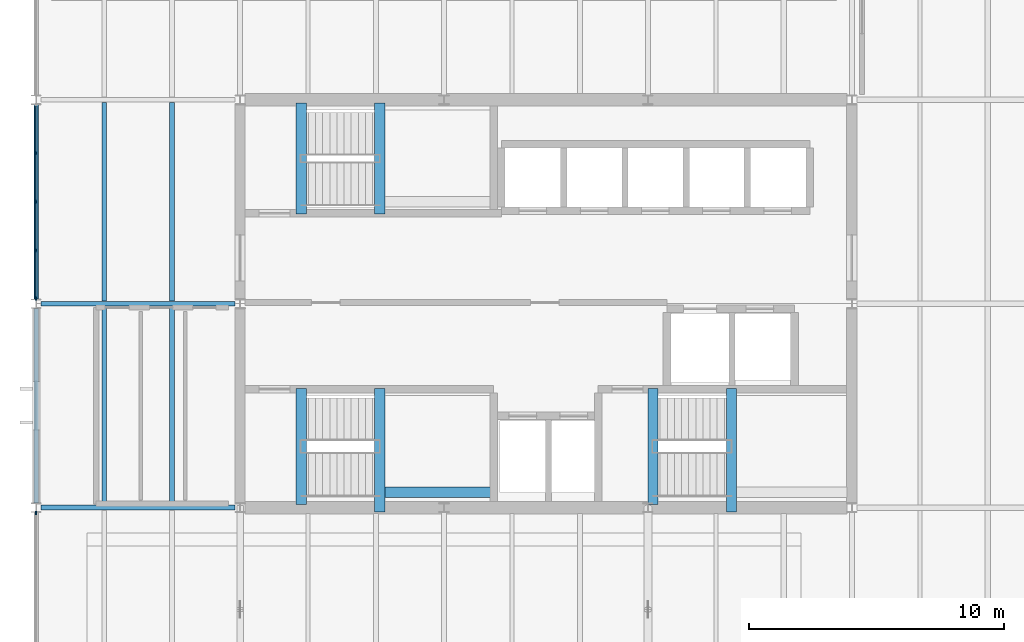
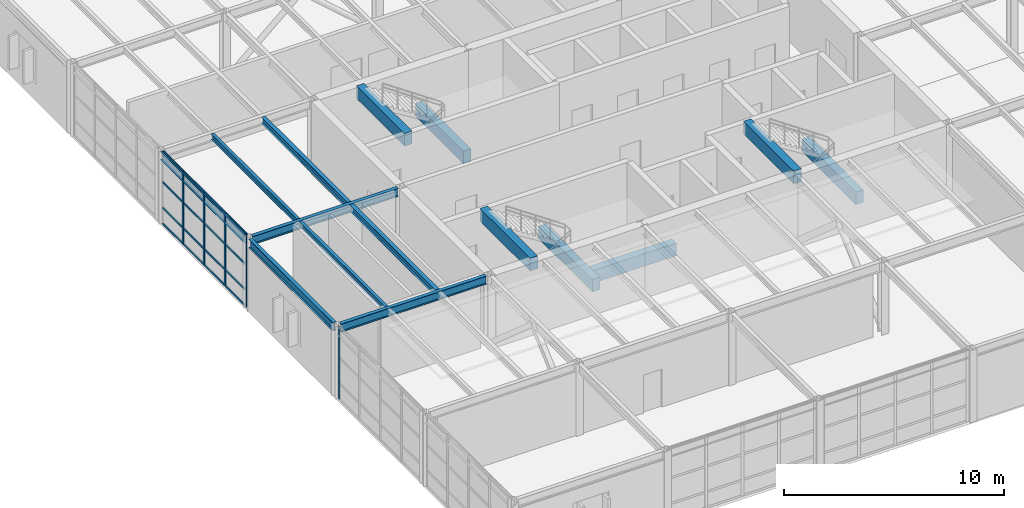
# One storey, part 11 of 50: 21 members, 15 beams, 2 elements without a shape of their own.
"""IFC4 building model written with IfcOpenShell, lengths in metres."""

from ifc_helpers import new_model, si_unit, direction, frame, origin, origin_2d, place, context, subcontext, project, spatial, rectangle, i_section, extrude, material, layer, layer_set, material_profile, profile_set, type_object, element, aggregate, save


model = new_model("IFC4")

# Units and contexts
model_context = context("Model", 3, precision=1e-05, world=origin(), true_north=direction((0.0, 1.0)))
body_context = subcontext(model_context, "Body", "Model", "MODEL_VIEW")
ifc_project = project(units=[si_unit("LENGTHUNIT", "METRE"), si_unit("AREAUNIT", "SQUARE_METRE"), si_unit("VOLUMEUNIT", "CUBIC_METRE"), si_unit("PLANEANGLEUNIT", "RADIAN"), si_unit("MASSUNIT", "GRAM", prefix="KILO")], contexts=[model_context])

# Site, building, storey
site_placement = place(None, origin())
site = spatial("IfcSite", under=ifc_project, at=site_placement, CompositionType="ELEMENT")
building_placement = place(site_placement, origin())
building = spatial("IfcBuilding", under=site, at=building_placement, Name="Varnela Railside Interchange", CompositionType="ELEMENT")
storey_placement = place(building_placement, frame((0.0, 0.0, 15.39990234375)))
storey = spatial("IfcBuildingStorey", under=building, at=storey_placement, Name="L03", CompositionType="ELEMENT", Elevation=15.39990234375)

# Beams
ifc_material_1 = material(Name="Steel AR 350 (350 MPa)", Category="steel")
ifc_material_profile_1 = material_profile(ifc_material_1, i_section(OverallWidth=0.1650390625, OverallDepth=0.31005859375, WebThickness=0.005859375, FlangeThickness=0.009765625, at=origin_2d()), Name="W310x38.7")
ifc_profile_set_1 = profile_set([ifc_material_profile_1], Name="Steel AR 350 (350 MPa)")
beam_type_1 = type_object("IfcBeamType", Name="Composite Floor Joist J-04", PredefinedType="JOIST", material=ifc_profile_set_1)
for number, where, z_axis, x_axis, name in (
    (1, (6.669921875, 54.1044921875, 3.84521484375), (0.0, 1.0, 0.0), (-1.0, 0.0, 0.0), "Composite Floor Joist J-04 (L03) (BM-2122)"),
    (2, (6.669921875, 62.1044921875, 3.84521484375), (0.0, 1.0, 0.0), (-1.0, 0.0, 0.0), "Composite Floor Joist J-04 (L03) (BM-2124)"),
):
    element("IfcBeam", number, at=place(storey_placement, frame(where, z_axis=z_axis, x_axis=x_axis)), inside=storey, type_object=beam_type_1, Name=name, PredefinedType="JOIST", context=body_context, shape_type="SweptSolid", body=[
        extrude(i_section(OverallWidth=0.1650390625, OverallDepth=0.31005859375, WebThickness=0.005859375, FlangeThickness=0.009765625, at=origin_2d()), origin(), (0.0, 0.0, 1.0), 7.791015625),
    ])
ifc_material_profile_2 = material_profile(ifc_material_1, i_section(OverallWidth=0.202880859375, OverallDepth=0.346923828125, WebThickness=0.0078125, FlangeThickness=0.013427734375, at=origin_2d()), Name="W360x64")
ifc_profile_set_2 = profile_set([ifc_material_profile_2], Name="Steel AR 350 (350 MPa)")
beam_type_2 = type_object("IfcBeamType", Name="Composite Heavy Joist J-01", PredefinedType="JOIST", material=ifc_profile_set_2)
for number, where, z_axis, x_axis, name in (
    (3, (9.330078125, 54.1044921875, 3.82666015625), (0.0, 1.0, 0.0), (-1.0, 0.0, 0.0), "Composite Heavy Joist J-01 (L03) (BM-2123)"),
    (4, (9.330078125, 62.1044921875, 3.82666015625), (0.0, 1.0, 0.0), (-1.0, 0.0, 0.0), "Composite Heavy Joist J-01 (L03) (BM-2125)"),
):
    element("IfcBeam", number, at=place(storey_placement, frame(where, z_axis=z_axis, x_axis=x_axis)), inside=storey, type_object=beam_type_2, Name=name, PredefinedType="JOIST", context=body_context, shape_type="SweptSolid", body=[
        extrude(i_section(OverallWidth=0.202880859375, OverallDepth=0.346923828125, WebThickness=0.0078125, FlangeThickness=0.013427734375, at=origin_2d()), origin(), (0.0, 0.0, 1.0), 7.791015625),
    ])
ifc_material_2 = material(Name="Concrete C40", Category="concrete")
ifc_material_profile_3 = material_profile(ifc_material_2, rectangle(XDim=0.39990234375, YDim=0.699951171875, at=origin_2d()), Name="RC 400x700")
ifc_profile_set_3 = profile_set([ifc_material_profile_3], Name="Concrete C40")
beam_type_3 = type_object("IfcBeamType", Name="Concrete Tie Beam B-01", PredefinedType="BEAM", material=ifc_profile_set_3)
beam_1_placement = place(storey_placement, frame((14.39990234375, 54.1201171875, 3.650146484375), z_axis=(0.0, 1.0, 0.0), x_axis=(-1.0, 0.0, 0.0)))
element("IfcBeam", 5, at=beam_1_placement, inside=storey, type_object=beam_type_3, Name="Concrete Tie Beam B-01 (L03) (BM-2362)", PredefinedType="BEAM", context=body_context, shape_type="SweptSolid", body=[
    extrude(rectangle(XDim=0.39990234375, YDim=0.699951171875, at=origin_2d()), origin(), (0.0, 0.0, 1.0), 4.559814453125),
])
beam_2_placement = place(storey_placement, frame((17.47998046875, 53.820068359375, 1.590087890625), z_axis=(0.0, 1.0, 0.0), x_axis=(-1.0, 0.0, 0.0)))
element("IfcBeam", 6, at=beam_2_placement, inside=storey, type_object=beam_type_3, Name="Concrete Tie Beam B-01 (L03) (BM-2356)", PredefinedType="BEAM", context=body_context, shape_type="SweptSolid", body=[
    extrude(rectangle(XDim=0.39990234375, YDim=0.699951171875, at=origin_2d()), origin(), (0.0, 0.0, 1.0), 4.85986328125),
])
beam_3_placement = place(storey_placement, frame((17.679931640625, 54.60009765625, 1.590087890625), z_axis=(1.0, 0.0, 0.0), x_axis=(0.0, 1.0, 0.0)))
element("IfcBeam", 7, at=beam_3_placement, inside=storey, type_object=beam_type_3, Name="Concrete Tie Beam B-01 (L03) (BM-2350)", PredefinedType="BEAM", context=body_context, shape_type="SweptSolid", body=[
    extrude(rectangle(XDim=0.39990234375, YDim=0.699951171875, at=origin_2d()), origin(), (0.0, 0.0, 1.0), 4.340087890625),
])
beam_4_placement = place(storey_placement, frame((28.199951171875, 54.1201171875, 3.650146484375), z_axis=(0.0, 1.0, 0.0), x_axis=(-1.0, 0.0, 0.0)))
element("IfcBeam", 8, at=beam_4_placement, inside=storey, type_object=beam_type_3, Name="Concrete Tie Beam B-01 (L03) (BM-2363)", PredefinedType="BEAM", context=body_context, shape_type="SweptSolid", body=[
    extrude(rectangle(XDim=0.39990234375, YDim=0.699951171875, at=origin_2d()), origin(), (0.0, 0.0, 1.0), 4.559814453125),
])
beam_5_placement = place(storey_placement, frame((31.280029296875, 53.820068359375, 1.590087890625), z_axis=(0.0, 1.0, 0.0), x_axis=(-1.0, 0.0, 0.0)))
element("IfcBeam", 9, at=beam_5_placement, inside=storey, type_object=beam_type_3, Name="Concrete Tie Beam B-01 (L03) (BM-2357)", PredefinedType="BEAM", context=body_context, shape_type="SweptSolid", body=[
    extrude(rectangle(XDim=0.39990234375, YDim=0.699951171875, at=origin_2d()), origin(), (0.0, 0.0, 1.0), 4.85986328125),
])
for number, where, z_axis, x_axis, name in (
    (10, (14.39990234375, 65.52001953125, 3.650146484375), (0.0, 1.0, 0.0), (-1.0, 0.0, 0.0), "Concrete Tie Beam B-01 (L03) (BM-2364)"),
    (11, (17.47998046875, 65.52001953125, 1.590087890625), (0.0, 1.0, 0.0), (-1.0, 0.0, 0.0), "Concrete Tie Beam B-01 (L03) (BM-2358)"),
):
    element("IfcBeam", number, at=place(storey_placement, frame(where, z_axis=z_axis, x_axis=x_axis)), inside=storey, type_object=beam_type_3, Name=name, PredefinedType="BEAM", context=body_context, shape_type="SweptSolid", body=[
        extrude(rectangle(XDim=0.39990234375, YDim=0.699951171875, at=origin_2d()), origin(), (0.0, 0.0, 1.0), 4.35986328125),
    ])

# Curtain wall, member
ifc_material_3 = material(Name="Aluminium 6063-T6", Category="aluminium")
ifc_layer = layer(ifc_material_3, 0.035888671875)
ifc_layer_set = layer_set([ifc_layer], Name="Aluminium 6063-T6")
curtain_wall_type = type_object("IfcCurtainWallType", Name="Operations Wing Facade Curtain Wall CW-03", PredefinedType="USERDEFINED", material=ifc_layer_set)
curtain_wall_1_placement = place(storey_placement, origin())
curtain_wall_1 = element("IfcCurtainWall", 12, at=curtain_wall_1_placement, inside=storey, type_object=curtain_wall_type, Name="Curtain Wall CW-03 (L03) (CW-101)", ObjectType="CURTAIN WALL", PredefinedType="USERDEFINED")
ifc_material_profile_4 = material_profile(ifc_material_3, rectangle(XDim=0.06005859375, YDim=0.139892578125, at=origin_2d()), Name="ALU 60x140")
ifc_profile_set_4 = profile_set([ifc_material_profile_4], Name="Aluminium 6063-T6")
member_type_1 = type_object("IfcMemberType", Name="Curtain Wall Mullion ML-01", PredefinedType="MULLION", material=ifc_profile_set_4)
member_1_placement = place(storey_placement, frame((4.0, 53.785888671875, 0.0), z_axis=(0.0, 0.0, 1.0), x_axis=(-1.0, 0.0, 0.0)))
member_1 = element("IfcMember", 13, at=member_1_placement, type_object=member_type_1, Name="CW-03 mullion 5", PredefinedType="MULLION", context=body_context, shape_type="SweptSolid", body=[
    extrude(rectangle(XDim=0.06005859375, YDim=0.139892578125, at=origin_2d()), origin(), (0.0, 0.0, 1.0), 4.0),
])
aggregate(curtain_wall_1, [member_1])

# Curtain wall, members
curtain_wall_2_placement = place(storey_placement, origin())
curtain_wall_2 = element("IfcCurtainWall", 14, at=curtain_wall_2_placement, inside=storey, type_object=curtain_wall_type, Name="Curtain Wall CW-03 (L03) (CW-077)", ObjectType="CURTAIN WALL", PredefinedType="USERDEFINED")
member_2_placement = place(storey_placement, frame((4.0, 62.214111328125, 0.0), z_axis=(0.0, 0.0, 1.0), x_axis=(-1.0, 0.0, 0.0)))
member_2 = element("IfcMember", 15, at=member_2_placement, type_object=member_type_1, Name="CW-03 mullion 1", PredefinedType="MULLION", context=body_context, shape_type="SweptSolid", body=[
    extrude(rectangle(XDim=0.06005859375, YDim=0.139892578125, at=origin_2d()), origin(), (0.0, 0.0, 1.0), 4.0),
])
member_3_placement = place(storey_placement, frame((4.0, 64.092041015625, 0.0), z_axis=(0.0, 0.0, 1.0), x_axis=(-1.0, 0.0, 0.0)))
member_3 = element("IfcMember", 16, at=member_3_placement, type_object=member_type_1, Name="CW-03 mullion 2", PredefinedType="MULLION", context=body_context, shape_type="SweptSolid", body=[
    extrude(rectangle(XDim=0.06005859375, YDim=0.139892578125, at=origin_2d()), origin(), (0.0, 0.0, 1.0), 4.0),
])
member_4_placement = place(storey_placement, frame((4.0, 66.0, 0.0), z_axis=(0.0, 0.0, 1.0), x_axis=(-1.0, 0.0, 0.0)))
member_4 = element("IfcMember", 17, at=member_4_placement, type_object=member_type_1, Name="CW-03 mullion 3", PredefinedType="MULLION", context=body_context, shape_type="SweptSolid", body=[
    extrude(rectangle(XDim=0.06005859375, YDim=0.139892578125, at=origin_2d()), origin(), (0.0, 0.0, 1.0), 4.0),
])
member_5_placement = place(storey_placement, frame((4.0, 67.907958984375, 0.0), z_axis=(0.0, 0.0, 1.0), x_axis=(-1.0, 0.0, 0.0)))
member_5 = element("IfcMember", 18, at=member_5_placement, type_object=member_type_1, Name="CW-03 mullion 4", PredefinedType="MULLION", context=body_context, shape_type="SweptSolid", body=[
    extrude(rectangle(XDim=0.06005859375, YDim=0.139892578125, at=origin_2d()), origin(), (0.0, 0.0, 1.0), 4.0),
])
ifc_material_profile_5 = material_profile(ifc_material_3, rectangle(XDim=0.06005859375, YDim=0.110107421875, at=origin_2d()), Name="ALU 60x110")
ifc_profile_set_5 = profile_set([ifc_material_profile_5], Name="Aluminium 6063-T6")
member_type_2 = type_object("IfcMemberType", Name="Curtain Wall Transom TR-01", PredefinedType="USERDEFINED", material=ifc_profile_set_5)
member_6_placement = place(storey_placement, frame((4.0, 62.243896484375, 0.030029296875), z_axis=(0.0, 1.0, 0.0), x_axis=(-1.0, 0.0, 0.0)))
member_6 = element("IfcMember", 19, at=member_6_placement, type_object=member_type_2, Name="CW-03 transom 1.1", ObjectType="TRANSOM", PredefinedType="USERDEFINED", context=body_context, shape_type="SweptSolid", body=[
    extrude(rectangle(XDim=0.06005859375, YDim=0.110107421875, at=origin_2d()), origin(), (0.0, 0.0, 1.0), 1.818115234375),
])
member_7_placement = place(storey_placement, frame((4.0, 62.243896484375, 0.900146484375), z_axis=(0.0, 1.0, 0.0), x_axis=(-1.0, 0.0, 0.0)))
member_7 = element("IfcMember", 20, at=member_7_placement, type_object=member_type_2, Name="CW-03 transom 1.2", ObjectType="TRANSOM", PredefinedType="USERDEFINED", context=body_context, shape_type="SweptSolid", body=[
    extrude(rectangle(XDim=0.06005859375, YDim=0.110107421875, at=origin_2d()), origin(), (0.0, 0.0, 1.0), 1.818115234375),
])
member_8_placement = place(storey_placement, frame((4.0, 62.243896484375, 2.320068359375), z_axis=(0.0, 1.0, 0.0), x_axis=(-1.0, 0.0, 0.0)))
member_8 = element("IfcMember", 21, at=member_8_placement, type_object=member_type_2, Name="CW-03 transom 1.3", ObjectType="TRANSOM", PredefinedType="USERDEFINED", context=body_context, shape_type="SweptSolid", body=[
    extrude(rectangle(XDim=0.06005859375, YDim=0.110107421875, at=origin_2d()), origin(), (0.0, 0.0, 1.0), 1.818115234375),
])
member_9_placement = place(storey_placement, frame((4.0, 62.243896484375, 3.97021484375), z_axis=(0.0, 1.0, 0.0), x_axis=(-1.0, 0.0, 0.0)))
member_9 = element("IfcMember", 22, at=member_9_placement, type_object=member_type_2, Name="CW-03 transom 1.4", ObjectType="TRANSOM", PredefinedType="USERDEFINED", context=body_context, shape_type="SweptSolid", body=[
    extrude(rectangle(XDim=0.06005859375, YDim=0.110107421875, at=origin_2d()), origin(), (0.0, 0.0, 1.0), 1.818115234375),
])
member_10_placement = place(storey_placement, frame((4.0, 64.1220703125, 0.030029296875), z_axis=(0.0, 1.0, 0.0), x_axis=(-1.0, 0.0, 0.0)))
member_10 = element("IfcMember", 23, at=member_10_placement, type_object=member_type_2, Name="CW-03 transom 2.1", ObjectType="TRANSOM", PredefinedType="USERDEFINED", context=body_context, shape_type="SweptSolid", body=[
    extrude(rectangle(XDim=0.06005859375, YDim=0.110107421875, at=origin_2d()), origin(), (0.0, 0.0, 1.0), 1.847900390625),
])
member_11_placement = place(storey_placement, frame((4.0, 64.1220703125, 0.900146484375), z_axis=(0.0, 1.0, 0.0), x_axis=(-1.0, 0.0, 0.0)))
member_11 = element("IfcMember", 24, at=member_11_placement, type_object=member_type_2, Name="CW-03 transom 2.2", ObjectType="TRANSOM", PredefinedType="USERDEFINED", context=body_context, shape_type="SweptSolid", body=[
    extrude(rectangle(XDim=0.06005859375, YDim=0.110107421875, at=origin_2d()), origin(), (0.0, 0.0, 1.0), 1.847900390625),
])
member_12_placement = place(storey_placement, frame((4.0, 64.1220703125, 2.320068359375), z_axis=(0.0, 1.0, 0.0), x_axis=(-1.0, 0.0, 0.0)))
member_12 = element("IfcMember", 25, at=member_12_placement, type_object=member_type_2, Name="CW-03 transom 2.3", ObjectType="TRANSOM", PredefinedType="USERDEFINED", context=body_context, shape_type="SweptSolid", body=[
    extrude(rectangle(XDim=0.06005859375, YDim=0.110107421875, at=origin_2d()), origin(), (0.0, 0.0, 1.0), 1.847900390625),
])
member_13_placement = place(storey_placement, frame((4.0, 64.1220703125, 3.97021484375), z_axis=(0.0, 1.0, 0.0), x_axis=(-1.0, 0.0, 0.0)))
member_13 = element("IfcMember", 26, at=member_13_placement, type_object=member_type_2, Name="CW-03 transom 2.4", ObjectType="TRANSOM", PredefinedType="USERDEFINED", context=body_context, shape_type="SweptSolid", body=[
    extrude(rectangle(XDim=0.06005859375, YDim=0.110107421875, at=origin_2d()), origin(), (0.0, 0.0, 1.0), 1.847900390625),
])
member_14_placement = place(storey_placement, frame((4.0, 66.030029296875, 0.030029296875), z_axis=(0.0, 1.0, 0.0), x_axis=(-1.0, 0.0, 0.0)))
member_14 = element("IfcMember", 27, at=member_14_placement, type_object=member_type_2, Name="CW-03 transom 3.1", ObjectType="TRANSOM", PredefinedType="USERDEFINED", context=body_context, shape_type="SweptSolid", body=[
    extrude(rectangle(XDim=0.06005859375, YDim=0.110107421875, at=origin_2d()), origin(), (0.0, 0.0, 1.0), 1.847900390625),
])
member_15_placement = place(storey_placement, frame((4.0, 66.030029296875, 0.900146484375), z_axis=(0.0, 1.0, 0.0), x_axis=(-1.0, 0.0, 0.0)))
member_15 = element("IfcMember", 28, at=member_15_placement, type_object=member_type_2, Name="CW-03 transom 3.2", ObjectType="TRANSOM", PredefinedType="USERDEFINED", context=body_context, shape_type="SweptSolid", body=[
    extrude(rectangle(XDim=0.06005859375, YDim=0.110107421875, at=origin_2d()), origin(), (0.0, 0.0, 1.0), 1.847900390625),
])
member_16_placement = place(storey_placement, frame((4.0, 66.030029296875, 2.320068359375), z_axis=(0.0, 1.0, 0.0), x_axis=(-1.0, 0.0, 0.0)))
member_16 = element("IfcMember", 29, at=member_16_placement, type_object=member_type_2, Name="CW-03 transom 3.3", ObjectType="TRANSOM", PredefinedType="USERDEFINED", context=body_context, shape_type="SweptSolid", body=[
    extrude(rectangle(XDim=0.06005859375, YDim=0.110107421875, at=origin_2d()), origin(), (0.0, 0.0, 1.0), 1.847900390625),
])
member_17_placement = place(storey_placement, frame((4.0, 66.030029296875, 3.97021484375), z_axis=(0.0, 1.0, 0.0), x_axis=(-1.0, 0.0, 0.0)))
member_17 = element("IfcMember", 30, at=member_17_placement, type_object=member_type_2, Name="CW-03 transom 3.4", ObjectType="TRANSOM", PredefinedType="USERDEFINED", context=body_context, shape_type="SweptSolid", body=[
    extrude(rectangle(XDim=0.06005859375, YDim=0.110107421875, at=origin_2d()), origin(), (0.0, 0.0, 1.0), 1.847900390625),
])
member_18_placement = place(storey_placement, frame((4.0, 67.93798828125, 0.030029296875), z_axis=(0.0, 1.0, 0.0), x_axis=(-1.0, 0.0, 0.0)))
member_18 = element("IfcMember", 31, at=member_18_placement, type_object=member_type_2, Name="CW-03 transom 4.1", ObjectType="TRANSOM", PredefinedType="USERDEFINED", context=body_context, shape_type="SweptSolid", body=[
    extrude(rectangle(XDim=0.06005859375, YDim=0.110107421875, at=origin_2d()), origin(), (0.0, 0.0, 1.0), 1.818115234375),
])
member_19_placement = place(storey_placement, frame((4.0, 67.93798828125, 0.900146484375), z_axis=(0.0, 1.0, 0.0), x_axis=(-1.0, 0.0, 0.0)))
member_19 = element("IfcMember", 32, at=member_19_placement, type_object=member_type_2, Name="CW-03 transom 4.2", ObjectType="TRANSOM", PredefinedType="USERDEFINED", context=body_context, shape_type="SweptSolid", body=[
    extrude(rectangle(XDim=0.06005859375, YDim=0.110107421875, at=origin_2d()), origin(), (0.0, 0.0, 1.0), 1.818115234375),
])
member_20_placement = place(storey_placement, frame((4.0, 67.93798828125, 2.320068359375), z_axis=(0.0, 1.0, 0.0), x_axis=(-1.0, 0.0, 0.0)))
member_20 = element("IfcMember", 33, at=member_20_placement, type_object=member_type_2, Name="CW-03 transom 4.3", ObjectType="TRANSOM", PredefinedType="USERDEFINED", context=body_context, shape_type="SweptSolid", body=[
    extrude(rectangle(XDim=0.06005859375, YDim=0.110107421875, at=origin_2d()), origin(), (0.0, 0.0, 1.0), 1.818115234375),
])
member_21_placement = place(storey_placement, frame((4.0, 67.93798828125, 3.97021484375), z_axis=(0.0, 1.0, 0.0), x_axis=(-1.0, 0.0, 0.0)))
member_21 = element("IfcMember", 34, at=member_21_placement, type_object=member_type_2, Name="CW-03 transom 4.4", ObjectType="TRANSOM", PredefinedType="USERDEFINED", context=body_context, shape_type="SweptSolid", body=[
    extrude(rectangle(XDim=0.06005859375, YDim=0.110107421875, at=origin_2d()), origin(), (0.0, 0.0, 1.0), 1.818115234375),
])
aggregate(curtain_wall_2, [member_2, member_3, member_4, member_5, member_6, member_7, member_8, member_9, member_10, member_11, member_12, member_13, member_14, member_15, member_16, member_17, member_18, member_19, member_20, member_21])

# Beams
ifc_material_profile_6 = material_profile(ifc_material_1, i_section(OverallWidth=0.19091796875, OverallDepth=0.4599609375, WebThickness=0.010009765625, FlangeThickness=0.01611328125, at=origin_2d()), Name="W460x82")
ifc_profile_set_6 = profile_set([ifc_material_profile_6], Name="Steel AR 350 (350 MPa)")
beam_type_4 = type_object("IfcBeamType", Name="Steel Perimeter Spandrel SP-01", PredefinedType="SPANDREL", material=ifc_profile_set_6)
for number, where, z_axis, x_axis, name in (
    (35, (4.1865234375, 54.0, 3.77001953125), (1.0, 0.0, 0.0), (0.0, 1.0, 0.0), "Steel Perimeter Spandrel SP-01 (L03) (BM-2236)"),
    (36, (4.1865234375, 62.0, 3.77001953125), (1.0, 0.0, 0.0), (0.0, 1.0, 0.0), "Steel Perimeter Spandrel SP-01 (L03) (BM-2242)"),
):
    element("IfcBeam", number, at=place(storey_placement, frame(where, z_axis=z_axis, x_axis=x_axis)), inside=storey, type_object=beam_type_4, Name=name, PredefinedType="SPANDREL", context=body_context, shape_type="SweptSolid", body=[
        extrude(i_section(OverallWidth=0.19091796875, OverallDepth=0.4599609375, WebThickness=0.010009765625, FlangeThickness=0.01611328125, at=origin_2d()), origin(), (0.0, 0.0, 1.0), 7.616455078125),
    ])
for number, where, z_axis, x_axis, name in (
    (37, (4.0, 54.18408203125, 3.77001953125), (0.0, 1.0, 0.0), (-1.0, 0.0, 0.0), "Steel Perimeter Spandrel SP-01 (L03) (BM-2304)"),
    (38, (4.0, 62.18408203125, 3.77001953125), (0.0, 1.0, 0.0), (-1.0, 0.0, 0.0), "Steel Perimeter Spandrel SP-01 (L03) (BM-2305)"),
):
    element("IfcBeam", number, at=place(storey_placement, frame(where, z_axis=z_axis, x_axis=x_axis)), inside=storey, type_object=beam_type_4, Name=name, PredefinedType="SPANDREL", context=body_context, shape_type="SweptSolid", body=[
        extrude(i_section(OverallWidth=0.19091796875, OverallDepth=0.4599609375, WebThickness=0.010009765625, FlangeThickness=0.01611328125, at=origin_2d()), origin(), (0.0, 0.0, 1.0), 7.6318359375),
    ])

save(model, "model.ifc")
